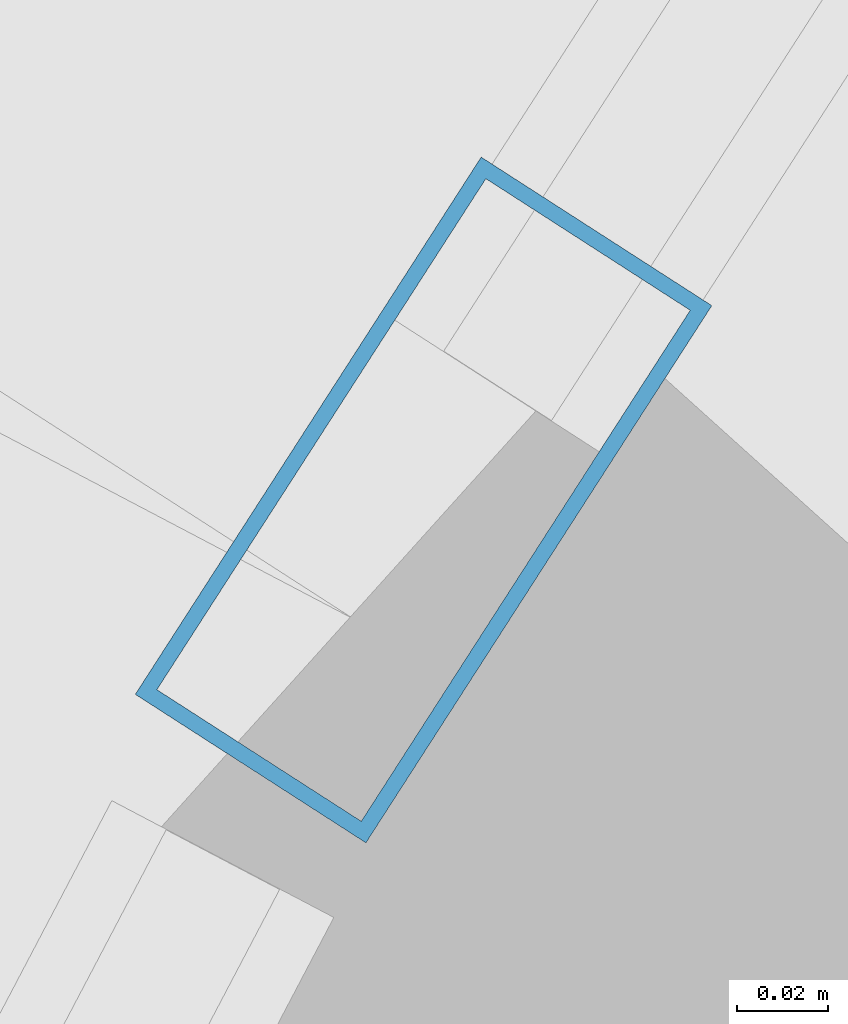
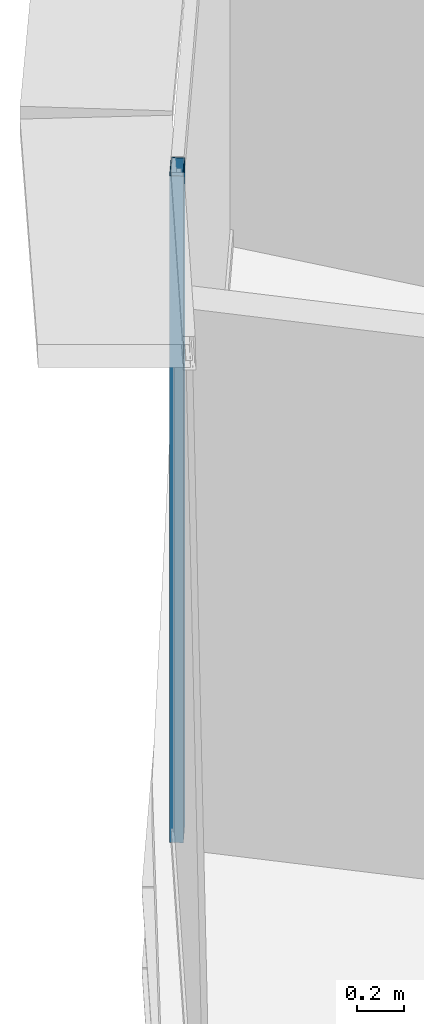
# One storey, part 14 of 34: 1 member, 1 element without a shape of its own.
"""IFC4 building model written with IfcOpenShell, lengths in metres."""

from ifc_helpers import new_model, si_unit, direction, frame, origin, origin_2d, place, context, subcontext, project, spatial, hollow_rectangle, extrude, source, transform, mapped, material, layer, layer_set, material_profile, profile_set, type_object, element, aggregate, save


model = new_model("IFC4")

# Units and contexts
model_context = context("Model", 3, precision=1e-05, world=origin(), true_north=direction((0.0, 1.0)))
body_context = subcontext(model_context, "Body", "Model", "MODEL_VIEW")
ifc_project = project(units=[si_unit("LENGTHUNIT", "METRE"), si_unit("AREAUNIT", "SQUARE_METRE"), si_unit("VOLUMEUNIT", "CUBIC_METRE"), si_unit("PLANEANGLEUNIT", "RADIAN"), si_unit("MASSUNIT", "GRAM", prefix="KILO"), si_unit("THERMODYNAMICTEMPERATUREUNIT", "KELVIN"), si_unit("POWERUNIT", "WATT")], contexts=[model_context])

# Site, building, storey
site_placement = place(None, origin())
site = spatial("IfcSite", under=ifc_project, at=site_placement, CompositionType="ELEMENT")
building_placement = place(site_placement, origin())
building = spatial("IfcBuilding", under=site, at=building_placement, Name="Yunzhuo Pagoda Commons", CompositionType="ELEMENT")
storey_placement = place(building_placement, frame((0.0, 0.0, 233.340087890625)))
storey = spatial("IfcBuildingStorey", under=building, at=storey_placement, Name="L58", CompositionType="ELEMENT", Elevation=233.340087890625)

# Curtain wall, member
ifc_material = material(Name="Anodized aluminium 6063-T6", Category="aluminium")
ifc_layer = layer(ifc_material, 0.139892578125)
ifc_layer_set = layer_set([ifc_layer], Name="Anodized aluminium 6063-T6")
curtain_wall_type = type_object("IfcCurtainWallType", Name="CW-HI High-Zone Ribbon Curtain Wall", PredefinedType="NOTDEFINED", material=ifc_layer_set)
curtain_wall_placement = place(storey_placement, origin())
curtain_wall = element("IfcCurtainWall", 1, at=curtain_wall_placement, inside=storey, type_object=curtain_wall_type, Name="L58 curtain wall CW-L58-F3B2", PredefinedType="NOTDEFINED")
ifc_material_profile = material_profile(ifc_material, hollow_rectangle(XDim=0.06005859375, YDim=0.139892578125, WallThickness=0.00341796875, at=origin_2d()), Name="Anodized aluminium 6063-T6")
ifc_profile_set = profile_set([ifc_material_profile], Name="Anodized aluminium 6063-T6")
member_type = type_object("IfcMemberType", Name="CW-HI-M Mullion RHS 140x60x3.5", PredefinedType="MULLION", material=ifc_profile_set)
shared_shape = source(origin(), body_context, "Body", "SweptSolid", [
    extrude(hollow_rectangle(XDim=0.06005859375, YDim=0.139892578125, WallThickness=0.00341796875, at=origin_2d()), origin(), (0.0, 0.0, 1.0), 3.469970703125),
])
member_placement = place(storey_placement, frame((25.0947265625, 54.364013671875, 0.0), z_axis=(0.0, 0.0, 1.0), x_axis=(0.840807373352, -0.541334426133, 0.0)))
member = element("IfcMember", 2, at=member_placement, type_object=member_type, Name="CW mullion 2", PredefinedType="MULLION", context=body_context, shape_type="MappedRepresentation", body=[
    mapped(shared_shape, transform((0.0, 0.0, 0.0), scale=1.0)),
])
aggregate(curtain_wall, [member])

save(model, "model.ifc")
